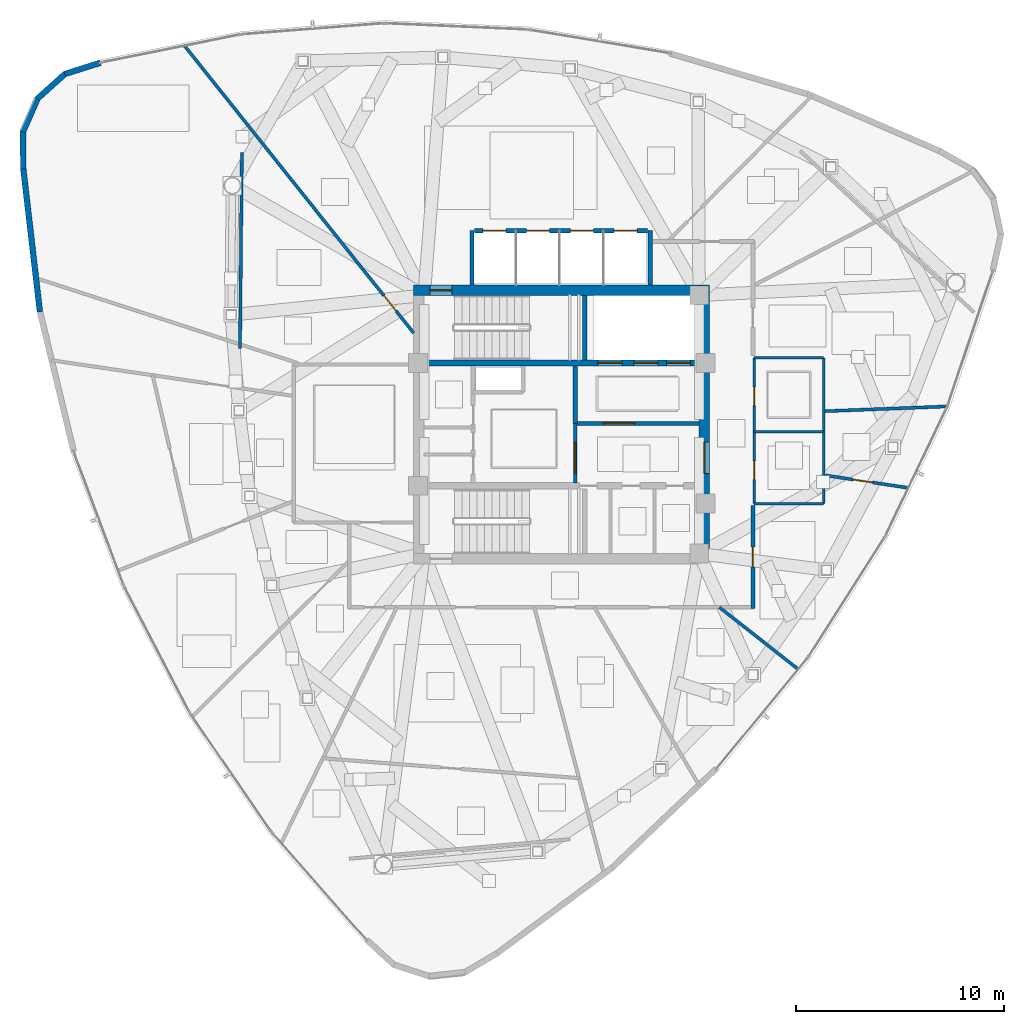
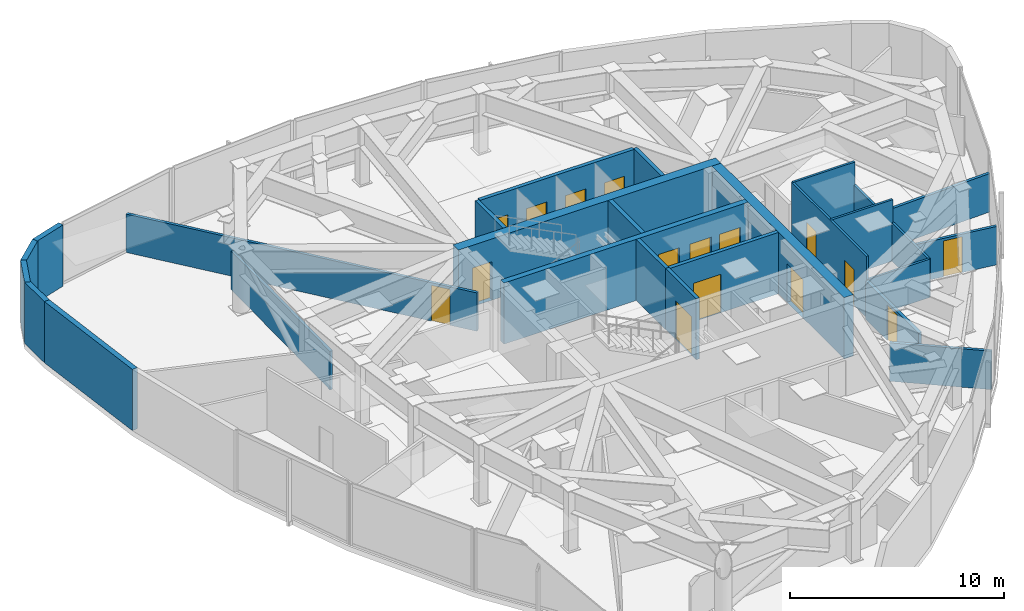
# One storey, part 9 of 13: 26 walls, 16 doors, 16 openings.
"""IFC4 building model written with IfcOpenShell, lengths in metres."""

from ifc_helpers import new_model, si_unit, direction, frame, frame_2d, origin, place, context, subcontext, project, spatial, rectangle, extrude, material, layer, layer_set, type_object, element, fill, save


model = new_model("IFC4")

# Units and contexts
model_context = context("Model", 3, precision=1e-05, world=origin(), true_north=direction((0.0, 1.0)))
body_context = subcontext(model_context, "Body", "Model", "MODEL_VIEW")
ifc_project = project(units=[si_unit("LENGTHUNIT", "METRE"), si_unit("AREAUNIT", "SQUARE_METRE"), si_unit("VOLUMEUNIT", "CUBIC_METRE"), si_unit("PLANEANGLEUNIT", "RADIAN"), si_unit("MASSUNIT", "GRAM", prefix="KILO")], contexts=[model_context])

# Site, building, storey
site_placement = place(None, origin())
site = spatial("IfcSite", under=ifc_project, at=site_placement, CompositionType="ELEMENT")
building_placement = place(site_placement, origin())
building = spatial("IfcBuilding", under=site, at=building_placement, Name="Tavelor Broadcast Tower", CompositionType="ELEMENT")
storey_placement = place(building_placement, frame((0.0, 0.0, 269.550048828125)))
storey = spatial("IfcBuildingStorey", under=building, at=storey_placement, Name="L64", CompositionType="ELEMENT", Elevation=269.550048828125)

# Wall, opening, door
ifc_material_1 = material(Name="Concrete C50/60", Category="concrete")
ifc_layer_1 = layer(ifc_material_1, 0.5)
ifc_layer_set_1 = layer_set([ifc_layer_1], Name="Concrete C50/60")
wall_type_1 = type_object("IfcWallType", Name="Core Shear Wall 500 mm", PredefinedType="SHEAR", material=ifc_layer_set_1)
wall_1_placement = place(storey_placement, frame((42.89990234375, 51.449951171875, 0.0), z_axis=(0.0, 0.0, 1.0), x_axis=(1.0, 0.0, 0.0)))
wall_1 = element("IfcWall", 1, at=wall_1_placement, inside=storey, type_object=wall_type_1, Name="L64 Central Core Shear Wall N", PredefinedType="SHEAR", context=body_context, shape_type="SweptSolid", body=[
    extrude(rectangle(XDim=14.2001953125, YDim=0.5, at=frame_2d((7.10009765625, 0.0))), origin(), (0.0, 0.0, 1.0), 3.5),
])
opening_1_placement = place(wall_1_placement, frame((0.780029296875, 0.0, 0.0)))
opening_1 = element("IfcOpeningElement", 2, at=opening_1_placement, cuts=wall_1, Name="Opening DR11", PredefinedType="OPENING", context=body_context, shape_type="SweptSolid", body=[
    extrude(rectangle(XDim=1.050048828125, YDim=2.199951171875, at=frame_2d((0.52490234375, 1.10009765625))), frame((0.0, 0.260009765625, 0.0), z_axis=(0.0, -1.0, 0.0), x_axis=(1.0, 0.0, 0.0)), (0.0, 0.0, 1.0), 0.52001953125),
])
ifc_material_2 = material(Name="Steel S355", Category="steel")
door_type_1 = type_object("IfcDoorType", Name="Stair Core Fire Escape Door 1050x2200", OperationType="NOTDEFINED", PredefinedType="DOOR", material=ifc_material_2)
door_1_placement = place(opening_1_placement, origin())
door_1 = element("IfcDoor", 3, at=door_1_placement, inside=storey, type_object=door_type_1, Name="L64 Stair ST1 Protected Exit Door", OperationType="SINGLE_SWING_LEFT", OverallHeight=2.199951171875, OverallWidth=1.050048828125, PredefinedType="DOOR", context=body_context, shape_type="SweptSolid", body=[
    extrude(rectangle(XDim=1.050048828125, YDim=2.199951171875, at=frame_2d((0.52490234375, 1.10009765625))), frame((0.0, 0.02490234375, 0.0), z_axis=(0.0, -1.0, 0.0), x_axis=(1.0, 0.0, 0.0)), (0.0, 0.0, 1.0), 0.050048828125),
])
fill(opening_1, door_1)

wall_2_placement = place(storey_placement, frame((56.85009765625, 38.800048828125, 0.0), z_axis=(0.0, 0.0, 1.0), x_axis=(0.0, 1.0, 0.0)))
wall_2 = element("IfcWall", 4, at=wall_2_placement, inside=storey, type_object=wall_type_1, Name="L64 Central Core Shear Wall E", PredefinedType="SHEAR", context=body_context, shape_type="SweptSolid", body=[
    extrude(rectangle(XDim=12.39990234375, YDim=0.5, at=frame_2d((6.199951171875, 0.0))), origin(), (0.0, 0.0, 1.0), 3.5),
])
opening_2_placement = place(wall_2_placement, frame((3.85009765625, 0.0, 0.0)))
opening_2 = element("IfcOpeningElement", 5, at=opening_2_placement, cuts=wall_2, Name="Opening DR14", PredefinedType="OPENING", context=body_context, shape_type="SweptSolid", body=[
    extrude(rectangle(XDim=1.5, YDim=2.199951171875, at=frame_2d((0.75, 1.10009765625))), frame((0.0, 0.260009765625, 0.0), z_axis=(0.0, -1.0, 0.0), x_axis=(1.0, 0.0, 0.0)), (0.0, 0.0, 1.0), 0.52001953125),
])
door_type_2 = type_object("IfcDoorType", Name="Firefighting Lobby Double Fire Door 1500x2200", OperationType="NOTDEFINED", PredefinedType="DOOR", material=ifc_material_2)
door_2_placement = place(opening_2_placement, origin())
door_2 = element("IfcDoor", 6, at=door_2_placement, inside=storey, type_object=door_type_2, Name="L64 Central Core Lobby Fire Door", OperationType="SINGLE_SWING_RIGHT", OverallHeight=2.199951171875, OverallWidth=1.5, PredefinedType="DOOR", context=body_context, shape_type="SweptSolid", body=[
    extrude(rectangle(XDim=1.5, YDim=2.199951171875, at=frame_2d((0.75, 1.10009765625))), frame((0.0, 0.02490234375, 0.0), z_axis=(0.0, -1.0, 0.0), x_axis=(1.0, 0.0, 0.0)), (0.0, 0.0, 1.0), 0.050048828125),
])
fill(opening_2, door_2)

# Wall, openings, doors
ifc_layer_2 = layer(ifc_material_1, 0.300048828125)
ifc_layer_set_2 = layer_set([ifc_layer_2], Name="Concrete C50/60")
wall_type_2 = type_object("IfcWallType", Name="Core Spine Shear Wall 300 mm C50", PredefinedType="SHEAR", material=ifc_layer_set_2)
wall_3_placement = place(storey_placement, frame((43.39990234375, 47.949951171875, 0.0), z_axis=(0.0, 0.0, 1.0), x_axis=(1.0, 0.0, 0.0)))
wall_3 = element("IfcWall", 7, at=wall_3_placement, inside=storey, type_object=wall_type_2, Name="L64 Central Core Shear Wall SP1", PredefinedType="SHEAR", context=body_context, shape_type="SweptSolid", body=[
    extrude(rectangle(XDim=13.2001953125, YDim=0.300048828125, at=frame_2d((6.60009765625, 0.0))), origin(), (0.0, 0.0, 1.0), 3.5),
])
opening_3_placement = place(wall_3_placement, frame((8.344970703125, 0.0, 0.0)))
opening_3 = element("IfcOpeningElement", 8, at=opening_3_placement, cuts=wall_3, Name="Opening LD02", PredefinedType="OPENING", context=body_context, shape_type="SweptSolid", body=[
    extrude(rectangle(XDim=1.14990234375, YDim=2.199951171875, at=frame_2d((0.574951171875, 1.10009765625))), frame((0.0, 0.16015625, 0.0), z_axis=(0.0, -1.0, 0.0), x_axis=(1.0, 0.0, 0.0)), (0.0, 0.0, 1.0), 0.320068359375),
])
opening_4_placement = place(wall_3_placement, frame((10.06494140625, 0.0, 0.0)))
opening_4 = element("IfcOpeningElement", 9, at=opening_4_placement, cuts=wall_3, Name="Opening LD02", PredefinedType="OPENING", context=body_context, shape_type="SweptSolid", body=[
    extrude(rectangle(XDim=1.14990234375, YDim=2.199951171875, at=frame_2d((0.574951171875, 1.10009765625))), frame((0.0, 0.16015625, 0.0), z_axis=(0.0, -1.0, 0.0), x_axis=(1.0, 0.0, 0.0)), (0.0, 0.0, 1.0), 0.320068359375),
])
opening_5_placement = place(wall_3_placement, frame((11.64501953125, 0.0, 0.0)))
opening_5 = element("IfcOpeningElement", 10, at=opening_5_placement, cuts=wall_3, Name="Opening LD03", PredefinedType="OPENING", context=body_context, shape_type="SweptSolid", body=[
    extrude(rectangle(XDim=1.14990234375, YDim=2.199951171875, at=frame_2d((0.574951171875, 1.10009765625))), frame((0.0, 0.16015625, 0.0), z_axis=(0.0, -1.0, 0.0), x_axis=(1.0, 0.0, 0.0)), (0.0, 0.0, 1.0), 0.320068359375),
])
ifc_material_3 = material(Name="Reinforced Brushed Stainless Steel", Category="concrete")
door_type_3 = type_object("IfcDoorType", Name="Broadcast Goods Lift Sliding Landing Door 1250x2200", OperationType="NOTDEFINED", PredefinedType="DOOR", material=ifc_material_3)
door_3_placement = place(opening_5_placement, origin())
door_3 = element("IfcDoor", 11, at=door_3_placement, inside=storey, type_object=door_type_3, Name="L64 Lift SVL1 Sliding Landing Door", OperationType="SLIDING_TO_LEFT", OverallHeight=2.199951171875, OverallWidth=1.14990234375, PredefinedType="DOOR", context=body_context, shape_type="SweptSolid", body=[
    extrude(rectangle(XDim=1.14990234375, YDim=2.199951171875, at=frame_2d((0.574951171875, 1.10009765625))), frame((0.0, 0.02490234375, 0.0), z_axis=(0.0, -1.0, 0.0), x_axis=(1.0, 0.0, 0.0)), (0.0, 0.0, 1.0), 0.050048828125),
])
fill(opening_5, door_3)
ifc_material_4 = material(Name="Fire-Rated Stainless Steel", Category="steel")
door_type_4 = type_object("IfcDoorType", Name="Firefighting Lift Sliding Landing Door 1200x2200", OperationType="NOTDEFINED", PredefinedType="DOOR", material=ifc_material_4)
door_4_placement = place(opening_3_placement, origin())
door_4 = element("IfcDoor", 12, at=door_4_placement, inside=storey, type_object=door_type_4, Name="L64 Lift FFL1 Sliding Landing Door", OperationType="SLIDING_TO_LEFT", OverallHeight=2.199951171875, OverallWidth=1.14990234375, PredefinedType="DOOR", context=body_context, shape_type="SweptSolid", body=[
    extrude(rectangle(XDim=1.14990234375, YDim=2.199951171875, at=frame_2d((0.574951171875, 1.10009765625))), frame((0.0, 0.02490234375, 0.0), z_axis=(0.0, -1.0, 0.0), x_axis=(1.0, 0.0, 0.0)), (0.0, 0.0, 1.0), 0.050048828125),
])
fill(opening_3, door_4)
door_5_placement = place(opening_4_placement, origin())
door_5 = element("IfcDoor", 13, at=door_5_placement, inside=storey, type_object=door_type_4, Name="L64 Lift FFL2 Sliding Landing Door", OperationType="SLIDING_TO_LEFT", OverallHeight=2.199951171875, OverallWidth=1.14990234375, PredefinedType="DOOR", context=body_context, shape_type="SweptSolid", body=[
    extrude(rectangle(XDim=1.14990234375, YDim=2.199951171875, at=frame_2d((0.574951171875, 1.10009765625))), frame((0.0, 0.02490234375, 0.0), z_axis=(0.0, -1.0, 0.0), x_axis=(1.0, 0.0, 0.0)), (0.0, 0.0, 1.0), 0.050048828125),
])
fill(opening_4, door_5)

# Wall, opening, door
ifc_material_5 = material(Name="Calcium Silicate Fire Board 180 mm", Category="gypsum")
ifc_layer_3 = layer(ifc_material_5, 0.179931640625)
ifc_layer_set_3 = layer_set([ifc_layer_3], Name="Calcium Silicate Fire Board 180 mm")
wall_type_3 = type_object("IfcWallType", Name="Fire-Rated Corridor Partition Wall 180 mm", PredefinedType="PARTITIONING", material=ifc_layer_set_3)
wall_4_placement = place(storey_placement, frame((50.64990234375, 42.199951171875, 0.0), z_axis=(0.0, 0.0, 1.0), x_axis=(0.0, 1.0, 0.0)))
wall_4 = element("IfcWall", 14, at=wall_4_placement, inside=storey, type_object=wall_type_3, Name="L64 Core Lobby Zoning Wall", PredefinedType="PARTITIONING", context=body_context, shape_type="SweptSolid", body=[
    extrude(rectangle(XDim=2.85009765625, YDim=0.179931640625, at=frame_2d((1.425048828125, 0.0))), origin(), (0.0, 0.0, 1.0), 3.5),
])
opening_6_placement = place(wall_4_placement, frame((0.449951171875, 0.0, 0.0)))
opening_6 = element("IfcOpeningElement", 15, at=opening_6_placement, cuts=wall_4, Name="Opening DR14", PredefinedType="OPENING", context=body_context, shape_type="SweptSolid", body=[
    extrude(rectangle(XDim=1.5, YDim=2.199951171875, at=frame_2d((0.75, 1.10009765625))), frame((0.0, 0.10009765625, 0.0), z_axis=(0.0, -1.0, 0.0), x_axis=(1.0, 0.0, 0.0)), (0.0, 0.0, 1.0), 0.199951171875),
])
door_6_placement = place(opening_6_placement, origin())
door_6 = element("IfcDoor", 16, at=door_6_placement, inside=storey, type_object=door_type_2, Name="L64 Core West Lobby Double Fire Door", OperationType="SINGLE_SWING_RIGHT", OverallHeight=2.199951171875, OverallWidth=1.5, PredefinedType="DOOR", context=body_context, shape_type="SweptSolid", body=[
    extrude(rectangle(XDim=1.5, YDim=2.199951171875, at=frame_2d((0.75, 1.10009765625))), frame((0.0, 0.02490234375, 0.0), z_axis=(0.0, -1.0, 0.0), x_axis=(1.0, 0.0, 0.0)), (0.0, 0.0, 1.0), 0.050048828125),
])
fill(opening_6, door_6)

wall_5_placement = place(storey_placement, frame((59.179931640625, 41.10009765625, 0.0), z_axis=(0.0, 0.0, 1.0), x_axis=(0.0, -1.0, 0.0)))
wall_5 = element("IfcWall", 17, at=wall_5_placement, inside=storey, type_object=wall_type_3, Name="L64 Corridor Compartment Wall 03", PredefinedType="PARTITIONING", context=body_context, shape_type="SweptSolid", body=[
    extrude(rectangle(XDim=4.93017578125, YDim=0.179931640625, at=frame_2d((2.465087890625, 0.0))), origin(), (0.0, 0.0, 1.0), 2.195068359375),
])
opening_7_placement = place(wall_5_placement, frame((1.989990234375, 0.0, 0.0)))
opening_7 = element("IfcOpeningElement", 18, at=opening_7_placement, cuts=wall_5, Name="Opening DR18", PredefinedType="OPENING", context=body_context, shape_type="SweptSolid", body=[
    extrude(rectangle(XDim=0.949951171875, YDim=2.050048828125, at=frame_2d((0.47509765625, 1.02490234375))), frame((0.0, 0.10009765625, 0.0), z_axis=(0.0, -1.0, 0.0), x_axis=(1.0, 0.0, 0.0)), (0.0, 0.0, 1.0), 0.199951171875),
])
ifc_material_6 = material(Name="Timber Solid Core Hardwood", Category="wood")
door_type_5 = type_object("IfcDoorType", Name="Corridor Rated Compartment Door 950x2050", OperationType="NOTDEFINED", PredefinedType="DOOR", material=ifc_material_6)
door_7_placement = place(opening_7_placement, origin())
door_7 = element("IfcDoor", 19, at=door_7_placement, inside=storey, type_object=door_type_5, Name="L64 Talent Script Den Door R1", OperationType="SINGLE_SWING_RIGHT", OverallHeight=2.050048828125, OverallWidth=0.949951171875, PredefinedType="DOOR", context=body_context, shape_type="SweptSolid", body=[
    extrude(rectangle(XDim=0.949951171875, YDim=2.050048828125, at=frame_2d((0.47509765625, 1.02490234375))), frame((0.0, 0.02490234375, 0.0), z_axis=(0.0, -1.0, 0.0), x_axis=(1.0, 0.0, 0.0)), (0.0, 0.0, 1.0), 0.050048828125),
])
fill(opening_7, door_7)

# Walls
ifc_material_7 = material(Name="Precast Concrete C40/50", Category="concrete")
ifc_layer_4 = layer(ifc_material_7, 0.280029296875)
ifc_layer_set_4 = layer_set([ifc_layer_4], Name="Precast Concrete C40/50")
wall_type_4 = type_object("IfcWallType", Name="Insulated Precast Terracotta Facade Wall 280 mm", PredefinedType="STANDARD", material=ifc_layer_set_4)
wall_6_placement = place(storey_placement, frame((27.862060546875, 62.364013671875, 0.0), z_axis=(0.0, 0.0, 1.0), x_axis=(-0.953484109946, -0.301443281698, 0.0)))
element("IfcWall", 20, at=wall_6_placement, inside=storey, type_object=wall_type_4, Name="L64 Rounded Corner Structural Cladding Pier 01", PredefinedType="STANDARD", context=body_context, shape_type="SweptSolid", body=[
    extrude(rectangle(XDim=1.798095703125, YDim=0.280029296875, at=frame_2d((0.89892578125, 0.0))), origin(), (0.0, 0.0, 1.0), 3.5),
])
for number, where, z_axis, x_axis, name in (
    (21, (26.173095703125, 61.83642578125, 0.0), (0.0, 0.0, 1.0), (-0.744848068875, -0.667234107561, 0.0), "L64 Rounded Corner Structural Cladding Pier 02"),
    (22, (24.859619140625, 60.668212890625, 0.0), (0.0, 0.0, 1.0), (-0.404349957218, -0.914604347299, 0.0), "L64 Rounded Corner Structural Cladding Pier 03"),
):
    element("IfcWall", number, at=place(storey_placement, frame(where, z_axis=z_axis, x_axis=x_axis)), inside=storey, type_object=wall_type_4, Name=name, PredefinedType="STANDARD", context=body_context, shape_type="SweptSolid", body=[
        extrude(rectangle(XDim=1.78662109375, YDim=0.280029296875, at=frame_2d((0.893310546875, 0.0))), origin(), (0.0, 0.0, 1.0), 3.5),
    ])
wall_7_placement = place(storey_placement, frame((24.143310546875, 59.06298828125, 0.0), z_axis=(0.0, 0.0, 1.0), x_axis=(0.007825964626, -0.99996937667, 0.0)))
element("IfcWall", 23, at=wall_7_placement, inside=storey, type_object=wall_type_4, Name="L64 Rounded Corner Structural Cladding Pier 04", PredefinedType="STANDARD", context=body_context, shape_type="SweptSolid", body=[
    extrude(rectangle(XDim=1.809326171875, YDim=0.280029296875, at=frame_2d((0.90478515625, 0.0))), origin(), (0.0, 0.0, 1.0), 3.5),
])
wall_8_placement = place(storey_placement, frame((24.155517578125, 57.28369140625, 0.0), z_axis=(0.0, 0.0, 1.0), x_axis=(0.115348875085, -0.993325040969, 0.0)))
element("IfcWall", 24, at=wall_8_placement, inside=storey, type_object=wall_type_4, Name="L64 Rounded Corner Structural Cladding Pier 05", PredefinedType="STANDARD", context=body_context, shape_type="SweptSolid", body=[
    extrude(rectangle(XDim=6.929443359375, YDim=0.280029296875, at=frame_2d((3.46484375, 0.0))), origin(), (0.0, 0.0, 1.0), 3.5),
])
ifc_material_8 = material(Name="Gypsum Acoustic Plasterboard 150 mm", Category="gypsum")
ifc_layer_5 = layer(ifc_material_8, 0.14990234375)
ifc_layer_set_5 = layer_set([ifc_layer_5], Name="Gypsum Acoustic Plasterboard 150 mm")
wall_type_5 = type_object("IfcWallType", Name="Interior Acoustic Partition Wall 150 mm", PredefinedType="PARTITIONING", material=ifc_layer_set_5)
wall_9_placement = place(storey_placement, frame((34.651611328125, 58.0556640625, 0.0), z_axis=(0.0, 0.0, 1.0), x_axis=(-0.009553538759, -0.999954363907, 0.0)))
element("IfcWall", 25, at=wall_9_placement, inside=storey, type_object=wall_type_5, Name="L64 Corner Tube Brace Furring Wall 1", PredefinedType="PARTITIONING", context=body_context, shape_type="SweptSolid", body=[
    extrude(rectangle(XDim=9.404296875, YDim=0.14990234375, at=frame_2d((4.7021484375, 0.0))), origin(), (0.0, 0.0, 1.0), 2.195068359375),
])

# Wall, opening, door
wall_10_placement = place(storey_placement, frame((42.89990234375, 49.386474609375, 0.0), z_axis=(0.0, 0.0, 1.0), x_axis=(-0.623701083896, 0.781662943951, 0.0)))
wall_10 = element("IfcWall", 26, at=wall_10_placement, inside=storey, type_object=wall_type_5, Name="L64 Radial Compartment Wall 01", PredefinedType="PARTITIONING", context=body_context, shape_type="SweptSolid", body=[
    extrude(rectangle(XDim=17.65185546875, YDim=0.14990234375, at=frame_2d((8.825927734375, 0.0))), origin(), (0.0, 0.0, 1.0), 2.195068359375),
])
opening_8_placement = place(wall_10_placement, frame((1.35009765625, 0.0, 0.0)))
opening_8 = element("IfcOpeningElement", 27, at=opening_8_placement, cuts=wall_10, Name="Opening DR18", PredefinedType="OPENING", context=body_context, shape_type="SweptSolid", body=[
    extrude(rectangle(XDim=0.949951171875, YDim=2.050048828125, at=frame_2d((0.47509765625, 1.02490234375))), frame((0.0, 0.0849609375, 0.0), z_axis=(0.0, -1.0, 0.0), x_axis=(1.0, 0.0, 0.0)), (0.0, 0.0, 1.0), 0.169921875),
])
door_8_placement = place(opening_8_placement, origin())
door_8 = element("IfcDoor", 28, at=door_8_placement, inside=storey, type_object=door_type_5, Name="L64 Suite Connecting Door 9", OperationType="SINGLE_SWING_RIGHT", OverallHeight=2.050048828125, OverallWidth=0.949951171875, PredefinedType="DOOR", context=body_context, shape_type="SweptSolid", body=[
    extrude(rectangle(XDim=0.949951171875, YDim=2.050048828125, at=frame_2d((0.47509765625, 1.02490234375))), frame((0.0, 0.02490234375, 0.0), z_axis=(0.0, -1.0, 0.0), x_axis=(1.0, 0.0, 0.0)), (0.0, 0.0, 1.0), 0.050048828125),
])
fill(opening_8, door_8)

# Wall
wall_11_placement = place(storey_placement, frame((57.573974609375, 36.219970703125, 0.0), z_axis=(0.0, 0.0, 1.0), x_axis=(0.786283227173, -0.617866236872, 0.0)))
element("IfcWall", 29, at=wall_11_placement, inside=storey, type_object=wall_type_5, Name="L64 Radial Compartment Wall 09", PredefinedType="PARTITIONING", context=body_context, shape_type="SweptSolid", body=[
    extrude(rectangle(XDim=4.82568359375, YDim=0.14990234375, at=frame_2d((2.412841796875, 0.0))), origin(), (0.0, 0.0, 1.0), 2.195068359375),
])

# Wall, opening, door
wall_12_placement = place(storey_placement, frame((62.64990234375, 42.555419921875, 0.0), z_axis=(0.0, 0.0, 1.0), x_axis=(0.98886728479, -0.148800178337, 0.0)))
wall_12 = element("IfcWall", 30, at=wall_12_placement, inside=storey, type_object=wall_type_5, Name="L64 Radial Compartment Wall 10", PredefinedType="PARTITIONING", context=body_context, shape_type="SweptSolid", body=[
    extrude(rectangle(XDim=4.051025390625, YDim=0.14990234375, at=frame_2d((2.025390625, 0.0))), origin(), (0.0, 0.0, 1.0), 2.195068359375),
])
opening_9_placement = place(wall_12_placement, frame((1.35009765625, 0.0, 0.0)))
opening_9 = element("IfcOpeningElement", 31, at=opening_9_placement, cuts=wall_12, Name="Opening DR18", PredefinedType="OPENING", context=body_context, shape_type="SweptSolid", body=[
    extrude(rectangle(XDim=0.949951171875, YDim=2.050048828125, at=frame_2d((0.47509765625, 1.02490234375))), frame((0.0, 0.0849609375, 0.0), z_axis=(0.0, -1.0, 0.0), x_axis=(1.0, 0.0, 0.0)), (0.0, 0.0, 1.0), 0.169921875),
])
door_9_placement = place(opening_9_placement, origin())
door_9 = element("IfcDoor", 32, at=door_9_placement, inside=storey, type_object=door_type_5, Name="L64 Suite Connecting Door 0", OperationType="SINGLE_SWING_RIGHT", OverallHeight=2.050048828125, OverallWidth=0.949951171875, PredefinedType="DOOR", context=body_context, shape_type="SweptSolid", body=[
    extrude(rectangle(XDim=0.949951171875, YDim=2.050048828125, at=frame_2d((0.47509765625, 1.02490234375))), frame((0.0, 0.02490234375, 0.0), z_axis=(0.0, -1.0, 0.0), x_axis=(1.0, 0.0, 0.0)), (0.0, 0.0, 1.0), 0.050048828125),
])
fill(opening_9, door_9)

# Wall
wall_13_placement = place(storey_placement, frame((62.64990234375, 45.634521484375, 0.0), z_axis=(0.0, 0.0, 1.0), x_axis=(0.999237552825, 0.039042451561, 0.0)))
element("IfcWall", 33, at=wall_13_placement, inside=storey, type_object=wall_type_5, Name="L64 Radial Compartment Wall 11", PredefinedType="PARTITIONING", context=body_context, shape_type="SweptSolid", body=[
    extrude(rectangle(XDim=5.8779296875, YDim=0.14990234375, at=frame_2d((2.93896484375, 0.0))), origin(), (0.0, 0.0, 1.0), 2.195068359375),
])

# Wall, openings, doors
ifc_material_9 = material(Name="Concrete Blockwork 200 mm", Category="masonry")
ifc_layer_6 = layer(ifc_material_9, 0.199951171875)
ifc_layer_set_6 = layer_set([ifc_layer_6], Name="Concrete Blockwork 200 mm")
wall_type_6 = type_object("IfcWallType", Name="Lift Hoistway Rated Front Wall 200 mm", PredefinedType="PARTITIONING", material=ifc_layer_set_6)
wall_14_placement = place(storey_placement, frame((45.820068359375, 54.300048828125, 0.0), z_axis=(0.0, 0.0, 1.0), x_axis=(1.0, 0.0, 0.0)))
wall_14 = element("IfcWall", 34, at=wall_14_placement, inside=storey, type_object=wall_type_6, Name="L64 High-Rise Lift Hoistway Front Wall", PredefinedType="PARTITIONING", context=body_context, shape_type="SweptSolid", body=[
    extrude(rectangle(XDim=8.309814453125, YDim=0.199951171875, at=frame_2d((4.15478515625, 0.0))), origin(), (0.0, 0.0, 1.0), 3.5),
])
opening_10_placement = place(wall_14_placement, frame((0.405029296875, 0.0, 0.0)))
opening_10 = element("IfcOpeningElement", 35, at=opening_10_placement, cuts=wall_14, Name="Opening LD01", PredefinedType="OPENING", context=body_context, shape_type="SweptSolid", body=[
    extrude(rectangle(XDim=1.10009765625, YDim=2.14990234375, at=frame_2d((0.550048828125, 1.074951171875))), frame((0.0, 0.10986328125, 0.0), z_axis=(0.0, -1.0, 0.0), x_axis=(1.0, 0.0, 0.0)), (0.0, 0.0, 1.0), 0.219970703125),
])
opening_11_placement = place(wall_14_placement, frame((2.5048828125, 0.0, 0.0)))
opening_11 = element("IfcOpeningElement", 36, at=opening_11_placement, cuts=wall_14, Name="Opening LD01", PredefinedType="OPENING", context=body_context, shape_type="SweptSolid", body=[
    extrude(rectangle(XDim=1.10009765625, YDim=2.14990234375, at=frame_2d((0.550048828125, 1.074951171875))), frame((0.0, 0.10986328125, 0.0), z_axis=(0.0, -1.0, 0.0), x_axis=(1.0, 0.0, 0.0)), (0.0, 0.0, 1.0), 0.219970703125),
])
opening_12_placement = place(wall_14_placement, frame((4.60498046875, 0.0, 0.0)))
opening_12 = element("IfcOpeningElement", 37, at=opening_12_placement, cuts=wall_14, Name="Opening LD01", PredefinedType="OPENING", context=body_context, shape_type="SweptSolid", body=[
    extrude(rectangle(XDim=1.10009765625, YDim=2.14990234375, at=frame_2d((0.550048828125, 1.074951171875))), frame((0.0, 0.10986328125, 0.0), z_axis=(0.0, -1.0, 0.0), x_axis=(1.0, 0.0, 0.0)), (0.0, 0.0, 1.0), 0.219970703125),
])
opening_13_placement = place(wall_14_placement, frame((6.705078125, 0.0, 0.0)))
opening_13 = element("IfcOpeningElement", 38, at=opening_13_placement, cuts=wall_14, Name="Opening LD01", PredefinedType="OPENING", context=body_context, shape_type="SweptSolid", body=[
    extrude(rectangle(XDim=1.10009765625, YDim=2.14990234375, at=frame_2d((0.550048828125, 1.074951171875))), frame((0.0, 0.10986328125, 0.0), z_axis=(0.0, -1.0, 0.0), x_axis=(1.0, 0.0, 0.0)), (0.0, 0.0, 1.0), 0.219970703125),
])
ifc_material_10 = material(Name="Brushed Stainless Steel", Category="steel")
door_type_6 = type_object("IfcDoorType", Name="Passenger Lift Sliding Landing Door 1100x2150", OperationType="NOTDEFINED", PredefinedType="DOOR", material=ifc_material_10)
door_10_placement = place(opening_10_placement, origin())
door_10 = element("IfcDoor", 39, at=door_10_placement, inside=storey, type_object=door_type_6, Name="L64 Lift PLH1 Sliding Landing Door", OperationType="SLIDING_TO_LEFT", OverallHeight=2.14990234375, OverallWidth=1.10009765625, PredefinedType="DOOR", context=body_context, shape_type="SweptSolid", body=[
    extrude(rectangle(XDim=1.10009765625, YDim=2.14990234375, at=frame_2d((0.550048828125, 1.074951171875))), frame((0.0, 0.02490234375, 0.0), z_axis=(0.0, -1.0, 0.0), x_axis=(1.0, 0.0, 0.0)), (0.0, 0.0, 1.0), 0.050048828125),
])
fill(opening_10, door_10)
door_11_placement = place(opening_11_placement, origin())
door_11 = element("IfcDoor", 40, at=door_11_placement, inside=storey, type_object=door_type_6, Name="L64 Lift PLH2 Sliding Landing Door", OperationType="SLIDING_TO_RIGHT", OverallHeight=2.14990234375, OverallWidth=1.10009765625, PredefinedType="DOOR", context=body_context, shape_type="SweptSolid", body=[
    extrude(rectangle(XDim=1.10009765625, YDim=2.14990234375, at=frame_2d((0.550048828125, 1.074951171875))), frame((0.0, 0.02490234375, 0.0), z_axis=(0.0, -1.0, 0.0), x_axis=(1.0, 0.0, 0.0)), (0.0, 0.0, 1.0), 0.050048828125),
])
fill(opening_11, door_11)
door_12_placement = place(opening_12_placement, origin())
door_12 = element("IfcDoor", 41, at=door_12_placement, inside=storey, type_object=door_type_6, Name="L64 Lift PLH3 Sliding Landing Door", OperationType="SLIDING_TO_LEFT", OverallHeight=2.14990234375, OverallWidth=1.10009765625, PredefinedType="DOOR", context=body_context, shape_type="SweptSolid", body=[
    extrude(rectangle(XDim=1.10009765625, YDim=2.14990234375, at=frame_2d((0.550048828125, 1.074951171875))), frame((0.0, 0.02490234375, 0.0), z_axis=(0.0, -1.0, 0.0), x_axis=(1.0, 0.0, 0.0)), (0.0, 0.0, 1.0), 0.050048828125),
])
fill(opening_12, door_12)
door_13_placement = place(opening_13_placement, origin())
door_13 = element("IfcDoor", 42, at=door_13_placement, inside=storey, type_object=door_type_6, Name="L64 Lift PLH4 Sliding Landing Door", OperationType="SLIDING_TO_RIGHT", OverallHeight=2.14990234375, OverallWidth=1.10009765625, PredefinedType="DOOR", context=body_context, shape_type="SweptSolid", body=[
    extrude(rectangle(XDim=1.10009765625, YDim=2.14990234375, at=frame_2d((0.550048828125, 1.074951171875))), frame((0.0, 0.02490234375, 0.0), z_axis=(0.0, -1.0, 0.0), x_axis=(1.0, 0.0, 0.0)), (0.0, 0.0, 1.0), 0.050048828125),
])
fill(opening_13, door_13)

# Walls
ifc_layer_7 = layer(ifc_material_9, 0.199951171875)
ifc_layer_set_7 = layer_set([ifc_layer_7], Name="Concrete Blockwork 200 mm")
wall_type_7 = type_object("IfcWallType", Name="Lift and Riser Shaft Enclosure Wall 200 mm", PredefinedType="PARTITIONING", material=ifc_layer_set_7)
for number, where, z_axis, x_axis, name in (
    (43, (45.699951171875, 51.699951171875, 0.0), (0.0, 0.0, 1.0), (0.0, 1.0, 0.0), "L64 High-Rise Lift Shaft West Wall"),
    (44, (54.25, 51.699951171875, 0.0), (0.0, 0.0, 1.0), (0.0, 1.0, 0.0), "L64 High-Rise Lift Shaft East Wall"),
):
    element("IfcWall", number, at=place(storey_placement, frame(where, z_axis=z_axis, x_axis=x_axis)), inside=storey, type_object=wall_type_7, Name=name, PredefinedType="PARTITIONING", context=body_context, shape_type="SweptSolid", body=[
        extrude(rectangle(XDim=2.60009765625, YDim=0.199951171875, at=frame_2d((1.300048828125, 0.0))), origin(), (0.0, 0.0, 1.0), 3.5),
    ])

# Wall, opening, door
wall_15_placement = place(storey_placement, frame((50.64990234375, 45.050048828125, 0.0), z_axis=(0.0, 0.0, 1.0), x_axis=(1.0, 0.0, 0.0)))
wall_15 = element("IfcWall", 45, at=wall_15_placement, inside=storey, type_object=wall_type_7, Name="L64 Firefighting Lobby South Wall", PredefinedType="PARTITIONING", context=body_context, shape_type="SweptSolid", body=[
    extrude(rectangle(XDim=5.9501953125, YDim=0.199951171875, at=frame_2d((2.97509765625, 0.0))), origin(), (0.0, 0.0, 1.0), 3.5),
])
opening_14_placement = place(wall_15_placement, frame((1.35009765625, 0.0, 0.0)))
opening_14 = element("IfcOpeningElement", 46, at=opening_14_placement, cuts=wall_15, Name="Opening DR14", PredefinedType="OPENING", context=body_context, shape_type="SweptSolid", body=[
    extrude(rectangle(XDim=1.5, YDim=2.199951171875, at=frame_2d((0.75, 1.10009765625))), frame((0.0, 0.10986328125, 0.0), z_axis=(0.0, -1.0, 0.0), x_axis=(1.0, 0.0, 0.0)), (0.0, 0.0, 1.0), 0.219970703125),
])
door_14_placement = place(opening_14_placement, origin())
door_14 = element("IfcDoor", 47, at=door_14_placement, inside=storey, type_object=door_type_2, Name="L64 Firefighting Lobby Compartment Door", OperationType="SINGLE_SWING_LEFT", OverallHeight=2.199951171875, OverallWidth=1.5, PredefinedType="DOOR", context=body_context, shape_type="SweptSolid", body=[
    extrude(rectangle(XDim=1.5, YDim=2.199951171875, at=frame_2d((0.75, 1.10009765625))), frame((0.0, 0.02490234375, 0.0), z_axis=(0.0, -1.0, 0.0), x_axis=(1.0, 0.0, 0.0)), (0.0, 0.0, 1.0), 0.050048828125),
])
fill(opening_14, door_14)

# Wall
wall_16_placement = place(storey_placement, frame((50.64990234375, 45.050048828125, 0.0), z_axis=(0.0, 0.0, 1.0), x_axis=(0.0, 1.0, 0.0)))
element("IfcWall", 48, at=wall_16_placement, inside=storey, type_object=wall_type_7, Name="L64 Firefighting Lobby West Wall", PredefinedType="PARTITIONING", context=body_context, shape_type="SweptSolid", body=[
    extrude(rectangle(XDim=2.75, YDim=0.199951171875, at=frame_2d((1.375, 0.0))), origin(), (0.0, 0.0, 1.0), 3.5),
])

# Wall, openings, doors
ifc_material_11 = material(Name="Moisture-Resistant Plasterboard 120 mm", Category="gypsum")
ifc_layer_8 = layer(ifc_material_11, 0.1201171875)
ifc_layer_set_8 = layer_set([ifc_layer_8], Name="Moisture-Resistant Plasterboard 120 mm")
wall_type_8 = type_object("IfcWallType", Name="Moisture-Resistant Wet-Room Partition 120 mm", PredefinedType="PARTITIONING", material=ifc_layer_set_8)
wall_17_placement = place(storey_placement, frame((59.239990234375, 41.199951171875, 0.0), z_axis=(0.0, 0.0, 1.0), x_axis=(0.0, 1.0, 0.0)))
wall_17 = element("IfcWall", 49, at=wall_17_placement, inside=storey, type_object=wall_type_8, Name="L64 Floor Washrooms West Wall", PredefinedType="PARTITIONING", context=body_context, shape_type="SweptSolid", body=[
    extrude(rectangle(XDim=7.0, YDim=0.1201171875, at=frame_2d((3.5, 0.0))), origin(), (0.0, 0.0, 1.0), 3.5),
])
opening_15_placement = place(wall_17_placement, frame((1.14990234375, 0.0, 0.0)))
opening_15 = element("IfcOpeningElement", 50, at=opening_15_placement, cuts=wall_17, Name="Opening DR32", PredefinedType="OPENING", context=body_context, shape_type="SweptSolid", body=[
    extrude(rectangle(XDim=0.89990234375, YDim=2.050048828125, at=frame_2d((0.449951171875, 1.02490234375))), frame((0.0, 0.070068359375, 0.0), z_axis=(0.0, -1.0, 0.0), x_axis=(1.0, 0.0, 0.0)), (0.0, 0.0, 1.0), 0.14013671875),
])
opening_16_placement = place(wall_17_placement, frame((4.699951171875, 0.0, 0.0)))
opening_16 = element("IfcOpeningElement", 51, at=opening_16_placement, cuts=wall_17, Name="Opening DR32", PredefinedType="OPENING", context=body_context, shape_type="SweptSolid", body=[
    extrude(rectangle(XDim=0.89990234375, YDim=2.050048828125, at=frame_2d((0.449951171875, 1.02490234375))), frame((0.0, 0.070068359375, 0.0), z_axis=(0.0, -1.0, 0.0), x_axis=(1.0, 0.0, 0.0)), (0.0, 0.0, 1.0), 0.14013671875),
])
door_type_7 = type_object("IfcDoorType", Name="Accessible Washroom Door 900x2050", OperationType="NOTDEFINED", PredefinedType="DOOR", material=ifc_material_6)
door_15_placement = place(opening_15_placement, origin())
door_15 = element("IfcDoor", 52, at=door_15_placement, inside=storey, type_object=door_type_7, Name="L64 Accessible WC Door", OperationType="SINGLE_SWING_LEFT", OverallHeight=2.050048828125, OverallWidth=0.89990234375, PredefinedType="DOOR", context=body_context, shape_type="SweptSolid", body=[
    extrude(rectangle(XDim=0.89990234375, YDim=2.050048828125, at=frame_2d((0.449951171875, 1.02490234375))), frame((0.0, 0.02490234375, 0.0), z_axis=(0.0, -1.0, 0.0), x_axis=(1.0, 0.0, 0.0)), (0.0, 0.0, 1.0), 0.050048828125),
])
fill(opening_15, door_15)
door_16_placement = place(opening_16_placement, origin())
door_16 = element("IfcDoor", 53, at=door_16_placement, inside=storey, type_object=door_type_7, Name="L64 Staff Washroom WC Door", OperationType="SINGLE_SWING_RIGHT", OverallHeight=2.050048828125, OverallWidth=0.89990234375, PredefinedType="DOOR", context=body_context, shape_type="SweptSolid", body=[
    extrude(rectangle(XDim=0.89990234375, YDim=2.050048828125, at=frame_2d((0.449951171875, 1.02490234375))), frame((0.0, 0.02490234375, 0.0), z_axis=(0.0, -1.0, 0.0), x_axis=(1.0, 0.0, 0.0)), (0.0, 0.0, 1.0), 0.050048828125),
])
fill(opening_16, door_16)

# Walls
wall_18_placement = place(storey_placement, frame((59.239990234375, 41.199951171875, 0.0), z_axis=(0.0, 0.0, 1.0), x_axis=(1.0, 0.0, 0.0)))
element("IfcWall", 54, at=wall_18_placement, inside=storey, type_object=wall_type_8, Name="L64 Floor Washrooms South Wall", PredefinedType="PARTITIONING", context=body_context, shape_type="SweptSolid", body=[
    extrude(rectangle(XDim=3.340087890625, YDim=0.1201171875, at=frame_2d((1.669921875, 0.0))), origin(), (0.0, 0.0, 1.0), 2.195068359375),
])
for number, where, z_axis, x_axis, name in (
    (55, (59.239990234375, 44.64990234375, 0.0), (0.0, 0.0, 1.0), (1.0, 0.0, 0.0), "L64 Floor Washrooms Divider Wall"),
    (56, (59.239990234375, 48.199951171875, 0.0), (0.0, 0.0, 1.0), (1.0, 0.0, 0.0), "L64 Floor Washrooms North Wall"),
):
    element("IfcWall", number, at=place(storey_placement, frame(where, z_axis=z_axis, x_axis=x_axis)), inside=storey, type_object=wall_type_8, Name=name, PredefinedType="PARTITIONING", context=body_context, shape_type="SweptSolid", body=[
        extrude(rectangle(XDim=3.340087890625, YDim=0.1201171875, at=frame_2d((1.669921875, 0.0))), origin(), (0.0, 0.0, 1.0), 3.5),
    ])
wall_19_placement = place(storey_placement, frame((62.580078125, 41.199951171875, 0.0), z_axis=(0.0, 0.0, 1.0), x_axis=(0.0, 1.0, 0.0)))
element("IfcWall", 57, at=wall_19_placement, inside=storey, type_object=wall_type_8, Name="L64 Floor Washrooms East Wall", PredefinedType="PARTITIONING", context=body_context, shape_type="SweptSolid", body=[
    extrude(rectangle(XDim=7.0, YDim=0.1201171875, at=frame_2d((3.5, 0.0))), origin(), (0.0, 0.0, 1.0), 2.195068359375),
])
ifc_material_12 = material(Name="Concrete C40/50", Category="concrete")
ifc_layer_9 = layer(ifc_material_12, 0.219970703125)
ifc_layer_set_9 = layer_set([ifc_layer_9], Name="Concrete C40/50")
wall_type_9 = type_object("IfcWallType", Name="Structural Stairwell Shear Wall 220 mm", PredefinedType="SHEAR", material=ifc_layer_set_9)
wall_20_placement = place(storey_placement, frame((51.110107421875, 48.10009765625, 0.0), z_axis=(0.0, 0.0, 1.0), x_axis=(0.0, 1.0, 0.0)))
element("IfcWall", 58, at=wall_20_placement, inside=storey, type_object=wall_type_9, Name="L64 Stair ST1 Structural Shaft Wall", PredefinedType="SHEAR", context=body_context, shape_type="SweptSolid", body=[
    extrude(rectangle(XDim=3.099853515625, YDim=0.219970703125, at=frame_2d((1.5498046875, 0.0))), origin(), (0.0, 0.0, 1.0), 3.5),
])

save(model, "model.ifc")
